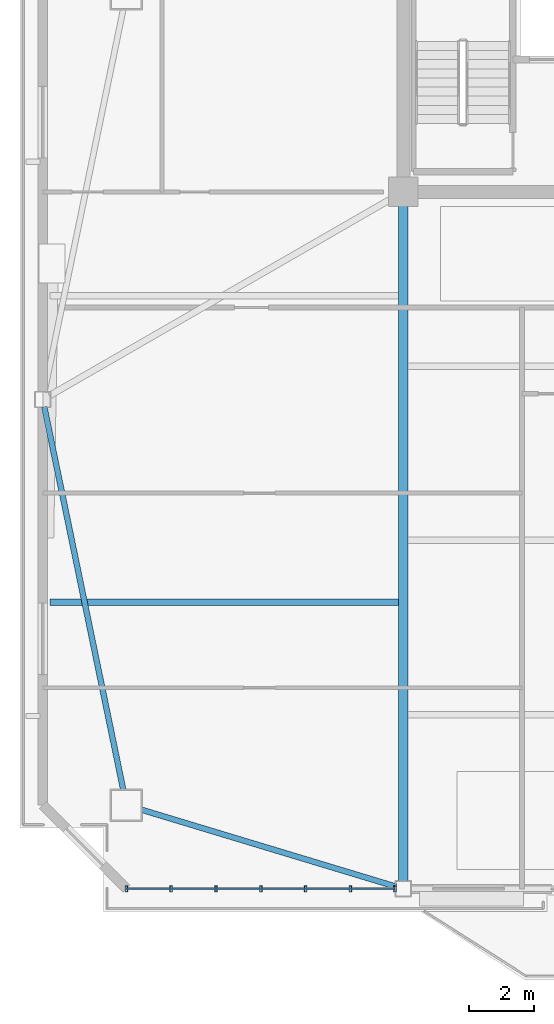
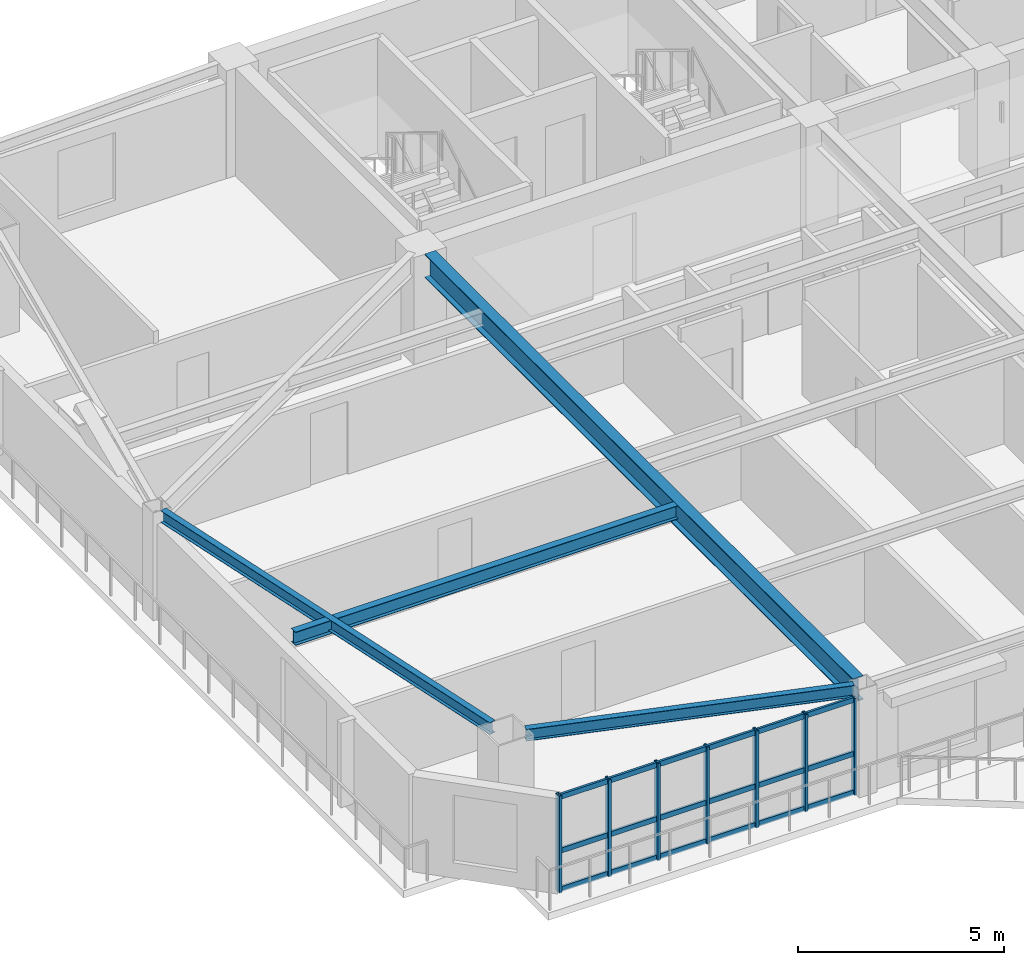
# One storey, part 2 of 18: 10 members, 4 beams, 1 element without a shape of its own.
"""IFC4 building model written with IfcOpenShell, lengths in metres."""

from ifc_helpers import new_model, si_unit, direction, frame, origin, origin_2d, place, context, subcontext, project, spatial, hollow_rectangle, i_section, extrude, source, transform, mapped, material, layer, layer_set, material_profile, profile_set, type_object, element, aggregate, save


model = new_model("IFC4")

# Units and contexts
model_context = context("Model", 3, precision=1e-05, world=origin(), true_north=direction((0.0, 1.0)))
body_context = subcontext(model_context, "Body", "Model", "MODEL_VIEW")
ifc_project = project(units=[si_unit("LENGTHUNIT", "METRE"), si_unit("AREAUNIT", "SQUARE_METRE"), si_unit("VOLUMEUNIT", "CUBIC_METRE"), si_unit("PLANEANGLEUNIT", "RADIAN"), si_unit("MASSUNIT", "GRAM", prefix="KILO")], contexts=[model_context])

# Site, building, storey
site_placement = place(None, origin())
site = spatial("IfcSite", under=ifc_project, at=site_placement, CompositionType="ELEMENT")
building_placement = place(site_placement, origin())
building = spatial("IfcBuilding", under=site, at=building_placement, Name="Giltprow Tower", CompositionType="ELEMENT")
storey_placement = place(building_placement, frame((0.0, 0.0, 262.10009765625)))
storey = spatial("IfcBuildingStorey", under=building, at=storey_placement, Name="L67", CompositionType="ELEMENT", Elevation=262.10009765625)

# Beams
ifc_material_1 = material(Name="Structural steel Q355B", Category="steel")
ifc_material_profile_1 = material_profile(ifc_material_1, i_section(OverallWidth=0.175048828125, OverallDepth=0.35009765625, WebThickness=0.007080078125, FlangeThickness=0.010986328125, at=origin_2d()), Name="HN 350x175x7x11")
ifc_profile_set_1 = profile_set([ifc_material_profile_1], Name="Structural steel Q355B")
beam_type_1 = type_object("IfcBeamType", Name="BM-SPAN-HN350", PredefinedType="SPANDREL", material=ifc_profile_set_1)
shared_shape_1 = source(origin(), body_context, "Body", "SweptSolid", [
    extrude(i_section(OverallWidth=0.175048828125, OverallDepth=0.35009765625, WebThickness=0.007080078125, FlangeThickness=0.010986328125, at=origin_2d()), origin(), (0.0, 0.0, 1.0), 8.161865234375),
])
beam_1_placement = place(storey_placement, frame((11.81201171875, 18.47412109375, 3.010009765625), z_axis=(0.957244757, -0.289279233952, 0.0), x_axis=(0.289279233952, 0.957244757, 0.0)))
element("IfcBeam", 1, at=beam_1_placement, inside=storey, type_object=beam_type_1, Name="L67 Perimeter Spandrel Beam MC_SW-S1", PredefinedType="SPANDREL", context=body_context, shape_type="MappedRepresentation", body=[
    mapped(shared_shape_1, transform((0.0, 0.0, 0.0), x_axis=(1.0, 0.0, 0.0), y_axis=(0.0, 1.0, 0.0), z_axis=(0.0, 0.0, 1.0), scale=1.0)),
])
shared_shape_2 = source(origin(), body_context, "Body", "SweptSolid", [
    extrude(i_section(OverallWidth=0.175048828125, OverallDepth=0.35009765625, WebThickness=0.007080078125, FlangeThickness=0.010986328125, at=origin_2d()), origin(), (0.0, 0.0, 1.0), 12.000244140625),
])
beam_2_placement = place(storey_placement, frame((8.825927734375, 30.842041015625, 3.010009765625), z_axis=(0.202000773979, -0.979385362006, 0.0), x_axis=(0.979385362006, 0.202000773979, 0.0)))
element("IfcBeam", 2, at=beam_2_placement, inside=storey, type_object=beam_type_1, Name="L67 Perimeter Spandrel Beam W_MID-MC_SW", PredefinedType="SPANDREL", context=body_context, shape_type="MappedRepresentation", body=[
    mapped(shared_shape_2, transform((0.0, 0.0, 0.0), x_axis=(1.0, 0.0, 0.0), y_axis=(0.0, 1.0, 0.0), z_axis=(0.0, 0.0, 1.0), scale=1.0)),
])
ifc_material_profile_2 = material_profile(ifc_material_1, i_section(OverallWidth=0.199951171875, OverallDepth=0.39990234375, WebThickness=0.008056640625, FlangeThickness=0.012939453125, at=origin_2d()), Name="HN 400x200x8x13")
ifc_profile_set_2 = profile_set([ifc_material_profile_2], Name="Structural steel Q355B")
beam_type_2 = type_object("IfcBeamType", Name="BM-JOIST-HN400", PredefinedType="JOIST", material=ifc_profile_set_2)
shared_shape_3 = source(origin(), body_context, "Body", "SweptSolid", [
    extrude(i_section(OverallWidth=0.199951171875, OverallDepth=0.39990234375, WebThickness=0.008056640625, FlangeThickness=0.012939453125, at=origin_2d()), origin(), (0.0, 0.0, 1.0), 10.7060546875),
])
beam_3_placement = place(storey_placement, frame((8.9990234375, 24.843017578125, 2.98486328125), z_axis=(1.0, 0.0, 0.0), x_axis=(0.0, 1.0, 0.0)))
element("IfcBeam", 3, at=beam_3_placement, inside=storey, type_object=beam_type_2, Name="L67 West Wing Floor Joist 1", PredefinedType="JOIST", context=body_context, shape_type="MappedRepresentation", body=[
    mapped(shared_shape_3, transform((0.0, 0.0, 0.0), x_axis=(1.0, 0.0, 0.0), y_axis=(0.0, 1.0, 0.0), z_axis=(0.0, 0.0, 1.0), scale=1.0)),
])
ifc_material_profile_3 = material_profile(ifc_material_1, i_section(OverallWidth=0.300048828125, OverallDepth=0.699951171875, WebThickness=0.012939453125, FlangeThickness=0.02392578125, at=origin_2d()), Name="HN 700x300x13x24")
ifc_profile_set_3 = profile_set([ifc_material_profile_3], Name="Structural steel Q355B")
beam_type_3 = type_object("IfcBeamType", Name="BM-GIRD-HN700", PredefinedType="BEAM", material=ifc_profile_set_3)
shared_shape_4 = source(origin(), body_context, "Body", "SweptSolid", [
    extrude(i_section(OverallWidth=0.300048828125, OverallDepth=0.699951171875, WebThickness=0.012939453125, FlangeThickness=0.02392578125, at=origin_2d()), origin(), (0.0, 0.0, 1.0), 20.73486328125),
])
beam_4_placement = place(storey_placement, frame((19.85009765625, 16.280029296875, 2.8349609375), z_axis=(0.0, 1.0, 0.0), x_axis=(-1.0, 0.0, 0.0)))
element("IfcBeam", 4, at=beam_4_placement, inside=storey, type_object=beam_type_3, Name="L67 Primary Lease Girder S1", PredefinedType="BEAM", context=body_context, shape_type="MappedRepresentation", body=[
    mapped(shared_shape_4, transform((0.0, 0.0, 0.0), x_axis=(1.0, 0.0, 0.0), y_axis=(0.0, 1.0, 0.0), z_axis=(0.0, 0.0, 1.0), scale=1.0)),
])

# Curtain wall, members
ifc_material_2 = material(Name="Anodized bronze", Category="metal")
ifc_layer = layer(ifc_material_2, 0.179931640625, Name="Anodized bronze")
ifc_layer_set = layer_set([ifc_layer], Name="Anodized bronze")
curtain_wall_type = type_object("IfcCurtainWallType", Name="CW-RES-SKY", PredefinedType="NOTDEFINED", material=ifc_layer_set)
curtain_wall_placement = place(storey_placement, origin())
curtain_wall = element("IfcCurtainWall", 5, at=curtain_wall_placement, inside=storey, type_object=curtain_wall_type, Name="L67 South Recessed Curtain Wall 1", PredefinedType="NOTDEFINED")
ifc_material_profile_4 = material_profile(ifc_material_2, hollow_rectangle(XDim=0.074951171875, YDim=0.179931640625, WallThickness=0.008056640625, at=origin_2d()), Name="RHS 180x75x8")
ifc_profile_set_4 = profile_set([ifc_material_profile_4], Name="Anodized bronze")
member_type_1 = type_object("IfcMemberType", Name="CW-MULLION-180x75", PredefinedType="MULLION", material=ifc_profile_set_4)
shared_shape_5 = source(origin(), body_context, "Body", "SweptSolid", [
    extrude(hollow_rectangle(XDim=0.074951171875, YDim=0.179931640625, WallThickness=0.008056640625, at=origin_2d()), origin(), (0.0, 0.0, 1.0), 2.869873046875),
])
member_1_placement = place(storey_placement, frame((11.347900390625, 16.044921875, -0.02001953125), z_axis=(0.0, 0.0, 1.0), x_axis=(1.0, 0.0, 0.0)))
member_1 = element("IfcMember", 6, at=member_1_placement, type_object=member_type_1, Name="L67 South Recessed Curtain Wall 1 Mullion 1", PredefinedType="MULLION", context=body_context, shape_type="MappedRepresentation", body=[
    mapped(shared_shape_5, transform((0.0, 0.0, 0.0), x_axis=(1.0, 0.0, 0.0), y_axis=(0.0, 1.0, 0.0), z_axis=(0.0, 0.0, 1.0), scale=1.0)),
])
member_2_placement = place(storey_placement, frame((12.722900390625, 16.044921875, -0.02001953125), z_axis=(0.0, 0.0, 1.0), x_axis=(1.0, 0.0, 0.0)))
member_2 = element("IfcMember", 7, at=member_2_placement, type_object=member_type_1, Name="L67 South Recessed Curtain Wall 1 Mullion 2", PredefinedType="MULLION", context=body_context, shape_type="MappedRepresentation", body=[
    mapped(shared_shape_5, transform((0.0, 0.0, 0.0), x_axis=(1.0, 0.0, 0.0), y_axis=(0.0, 1.0, 0.0), z_axis=(0.0, 0.0, 1.0), scale=1.0)),
])
member_3_placement = place(storey_placement, frame((14.09912109375, 16.044921875, -0.02001953125), z_axis=(0.0, 0.0, 1.0), x_axis=(1.0, 0.0, 0.0)))
member_3 = element("IfcMember", 8, at=member_3_placement, type_object=member_type_1, Name="L67 South Recessed Curtain Wall 1 Mullion 3", PredefinedType="MULLION", context=body_context, shape_type="MappedRepresentation", body=[
    mapped(shared_shape_5, transform((0.0, 0.0, 0.0), x_axis=(1.0, 0.0, 0.0), y_axis=(0.0, 1.0, 0.0), z_axis=(0.0, 0.0, 1.0), scale=1.0)),
])
member_4_placement = place(storey_placement, frame((15.47412109375, 16.044921875, -0.02001953125), z_axis=(0.0, 0.0, 1.0), x_axis=(1.0, 0.0, 0.0)))
member_4 = element("IfcMember", 9, at=member_4_placement, type_object=member_type_1, Name="L67 South Recessed Curtain Wall 1 Mullion 4", PredefinedType="MULLION", context=body_context, shape_type="MappedRepresentation", body=[
    mapped(shared_shape_5, transform((0.0, 0.0, 0.0), x_axis=(1.0, 0.0, 0.0), y_axis=(0.0, 1.0, 0.0), z_axis=(0.0, 0.0, 1.0), scale=1.0)),
])
member_5_placement = place(storey_placement, frame((16.84912109375, 16.044921875, -0.02001953125), z_axis=(0.0, 0.0, 1.0), x_axis=(1.0, 0.0, 0.0)))
member_5 = element("IfcMember", 10, at=member_5_placement, type_object=member_type_1, Name="L67 South Recessed Curtain Wall 1 Mullion 5", PredefinedType="MULLION", context=body_context, shape_type="MappedRepresentation", body=[
    mapped(shared_shape_5, transform((0.0, 0.0, 0.0), x_axis=(1.0, 0.0, 0.0), y_axis=(0.0, 1.0, 0.0), z_axis=(0.0, 0.0, 1.0), scale=1.0)),
])
member_6_placement = place(storey_placement, frame((18.22509765625, 16.044921875, -0.02001953125), z_axis=(0.0, 0.0, 1.0), x_axis=(1.0, 0.0, 0.0)))
member_6 = element("IfcMember", 11, at=member_6_placement, type_object=member_type_1, Name="L67 South Recessed Curtain Wall 1 Mullion 6", PredefinedType="MULLION", context=body_context, shape_type="MappedRepresentation", body=[
    mapped(shared_shape_5, transform((0.0, 0.0, 0.0), x_axis=(1.0, 0.0, 0.0), y_axis=(0.0, 1.0, 0.0), z_axis=(0.0, 0.0, 1.0), scale=1.0)),
])
member_7_placement = place(storey_placement, frame((19.60009765625, 16.044921875, -0.02001953125), z_axis=(0.0, 0.0, 1.0), x_axis=(1.0, 0.0, 0.0)))
member_7 = element("IfcMember", 12, at=member_7_placement, type_object=member_type_1, Name="L67 South Recessed Curtain Wall 1 Mullion 7", PredefinedType="MULLION", context=body_context, shape_type="MappedRepresentation", body=[
    mapped(shared_shape_5, transform((0.0, 0.0, 0.0), x_axis=(1.0, 0.0, 0.0), y_axis=(0.0, 1.0, 0.0), z_axis=(0.0, 0.0, 1.0), scale=1.0)),
])
ifc_material_profile_5 = material_profile(ifc_material_2, hollow_rectangle(XDim=0.06494140625, YDim=0.14990234375, WallThickness=0.006103515625, at=origin_2d()), Name="RHS 150x65x6")
ifc_profile_set_5 = profile_set([ifc_material_profile_5], Name="Anodized bronze")
member_type_2 = type_object("IfcMemberType", Name="CW-TRANSOM-150x65", PredefinedType="USERDEFINED", material=ifc_profile_set_5)
shared_shape_6 = source(origin(), body_context, "Body", "SweptSolid", [
    extrude(hollow_rectangle(XDim=0.06494140625, YDim=0.14990234375, WallThickness=0.006103515625, at=origin_2d()), origin(), (0.0, 0.0, 1.0), 8.252197265625),
])
member_8_placement = place(storey_placement, frame((11.347900390625, 16.044921875, 0.039794921875), z_axis=(1.0, 0.0, 0.0), x_axis=(0.0, 1.0, 0.0)))
member_8 = element("IfcMember", 13, at=member_8_placement, type_object=member_type_2, Name="L67 South Recessed Curtain Wall 1 Transom 1", ObjectType="TRANSOM", PredefinedType="USERDEFINED", context=body_context, shape_type="MappedRepresentation", body=[
    mapped(shared_shape_6, transform((0.0, 0.0, 0.0), x_axis=(1.0, 0.0, 0.0), y_axis=(0.0, 1.0, 0.0), z_axis=(0.0, 0.0, 1.0), scale=1.0)),
])
member_9_placement = place(storey_placement, frame((11.347900390625, 16.044921875, 1.181884765625), z_axis=(1.0, 0.0, 0.0), x_axis=(0.0, 1.0, 0.0)))
member_9 = element("IfcMember", 14, at=member_9_placement, type_object=member_type_2, Name="L67 South Recessed Curtain Wall 1 Transom 2", ObjectType="TRANSOM", PredefinedType="USERDEFINED", context=body_context, shape_type="MappedRepresentation", body=[
    mapped(shared_shape_6, transform((0.0, 0.0, 0.0), x_axis=(1.0, 0.0, 0.0), y_axis=(0.0, 1.0, 0.0), z_axis=(0.0, 0.0, 1.0), scale=1.0)),
])
member_10_placement = place(storey_placement, frame((11.347900390625, 16.044921875, 2.77490234375), z_axis=(1.0, 0.0, 0.0), x_axis=(0.0, 1.0, 0.0)))
member_10 = element("IfcMember", 15, at=member_10_placement, type_object=member_type_2, Name="L67 South Recessed Curtain Wall 1 Transom 3", ObjectType="TRANSOM", PredefinedType="USERDEFINED", context=body_context, shape_type="MappedRepresentation", body=[
    mapped(shared_shape_6, transform((0.0, 0.0, 0.0), x_axis=(1.0, 0.0, 0.0), y_axis=(0.0, 1.0, 0.0), z_axis=(0.0, 0.0, 1.0), scale=1.0)),
])
aggregate(curtain_wall, [member_1, member_2, member_3, member_4, member_5, member_6, member_7, member_8, member_9, member_10])

save(model, "model.ifc")
